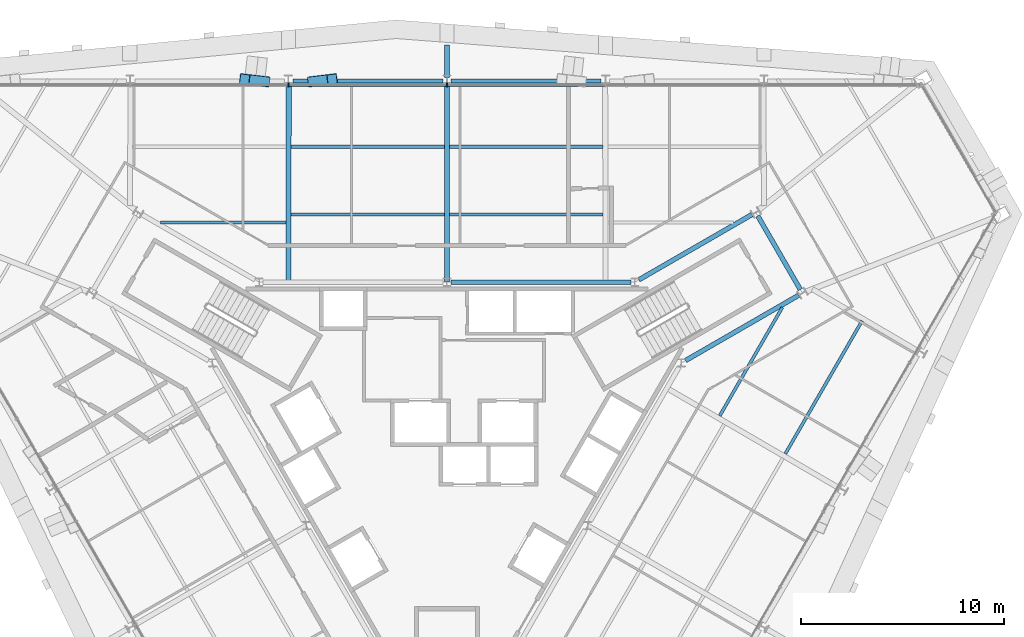
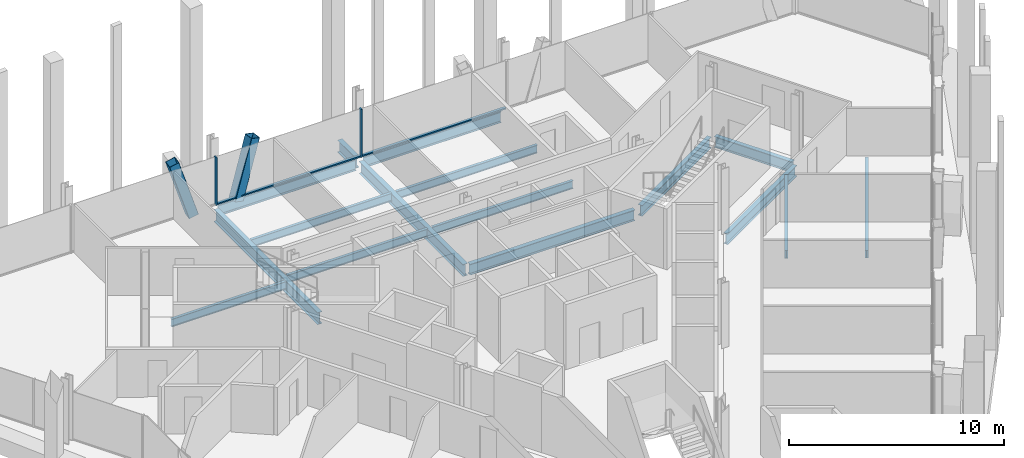
# One storey, part 9 of 17: 16 beams, 6 members, 1 element without a shape of its own.
"""IFC4 building model written with IfcOpenShell, lengths in metres."""

from ifc_helpers import new_model, si_unit, direction, frame, origin, origin_2d, place, context, subcontext, project, spatial, rectangle, hollow_rectangle, i_section, extrude, material, material_profile, profile_set, type_object, element, aggregate, save


model = new_model("IFC4")

# Units and contexts
model_context = context("Model", 3, precision=1e-05, world=origin(), true_north=direction((0.0, 1.0)))
body_context = subcontext(model_context, "Body", "Model", "MODEL_VIEW")
ifc_project = project(units=[si_unit("LENGTHUNIT", "METRE"), si_unit("AREAUNIT", "SQUARE_METRE"), si_unit("VOLUMEUNIT", "CUBIC_METRE"), si_unit("PLANEANGLEUNIT", "RADIAN"), si_unit("MASSUNIT", "GRAM", prefix="KILO")], contexts=[model_context])

# Site, building, storey
site_placement = place(None, origin())
site = spatial("IfcSite", under=ifc_project, at=site_placement, CompositionType="ELEMENT")
building_placement = place(site_placement, origin())
building = spatial("IfcBuilding", under=site, at=building_placement, Name="Verrane Prism Tower", CompositionType="ELEMENT")
storey_placement = place(building_placement, frame((0.0, 0.0, 178.39990234375)))
storey = spatial("IfcBuildingStorey", under=building, at=storey_placement, Name="L44", CompositionType="ELEMENT", Elevation=178.39990234375)

# Beams
ifc_material_1 = material(Name="Steel A992", Category="steel")
ifc_material_profile_1 = material_profile(ifc_material_1, i_section(OverallWidth=0.23046875, OverallDepth=0.6171875, WebThickness=0.01318359375, FlangeThickness=0.022216796875, FilletRadius=0.012939453125, at=origin_2d()), Name="W24x94")
ifc_profile_set_1 = profile_set([ifc_material_profile_1], Name="Steel A992")
beam_type_1 = type_object("IfcBeamType", Name="Core ring girder W24x94", PredefinedType="BEAM", material=ifc_profile_set_1)
beam_1_placement = place(storey_placement, frame((11.7607421875, 4.1357421875, -0.55859375), z_axis=(0.866075143088, 0.499913839102, 0.0), x_axis=(-0.499913839102, 0.866075143088, 0.0)))
element("IfcBeam", 1, at=beam_1_placement, inside=storey, type_object=beam_type_1, Name="Core ring girder L44", PredefinedType="BEAM", context=body_context, shape_type="SweptSolid", body=[
    extrude(i_section(OverallWidth=0.23046875, OverallDepth=0.6171875, WebThickness=0.01318359375, FlangeThickness=0.022216796875, FilletRadius=0.012939453125, at=origin_2d()), origin(), (0.0, 0.0, 1.0), 6.441650390625),
])
beam_2_placement = place(storey_placement, frame((17.418212890625, 7.635986328125, -0.55859375), z_axis=(-0.500305747711, 0.865848808284, 0.0), x_axis=(-0.865848808284, -0.500305747711, 0.0)))
element("IfcBeam", 2, at=beam_2_placement, inside=storey, type_object=beam_type_1, Name="Core ring girder L44", PredefinedType="BEAM", context=body_context, shape_type="SweptSolid", body=[
    extrude(i_section(OverallWidth=0.23046875, OverallDepth=0.6171875, WebThickness=0.01318359375, FlangeThickness=0.022216796875, FilletRadius=0.012939453125, at=origin_2d()), origin(), (0.0, 0.0, 1.0), 4.1904296875),
])
beam_3_placement = place(storey_placement, frame((15.03955078125, 11.3359375, -0.55859375), z_axis=(-0.866075143088, -0.499913839102, 0.0), x_axis=(0.499913839102, -0.866075143088, 0.0)))
element("IfcBeam", 3, at=beam_3_placement, inside=storey, type_object=beam_type_1, Name="Core ring girder L44", PredefinedType="BEAM", context=body_context, shape_type="SweptSolid", body=[
    extrude(i_section(OverallWidth=0.23046875, OverallDepth=0.6171875, WebThickness=0.01318359375, FlangeThickness=0.022216796875, FilletRadius=0.012939453125, at=origin_2d()), origin(), (0.0, 0.0, 1.0), 6.441650390625),
])
beam_4_placement = place(storey_placement, frame((9.059326171875, 8.0, -0.55859375), z_axis=(-1.0, 0.0, 0.0), x_axis=(0.0, -1.0, 0.0)))
element("IfcBeam", 4, at=beam_4_placement, inside=storey, type_object=beam_type_1, Name="Core ring girder L44", PredefinedType="BEAM", context=body_context, shape_type="SweptSolid", body=[
    extrude(i_section(OverallWidth=0.23046875, OverallDepth=0.6171875, WebThickness=0.01318359375, FlangeThickness=0.022216796875, FilletRadius=0.012939453125, at=origin_2d()), origin(), (0.0, 0.0, 1.0), 8.858642578125),
])

# Members
ifc_material_2 = material(Name="Steel A500 Grade C", Category="steel")
ifc_material_profile_2 = material_profile(ifc_material_2, hollow_rectangle(XDim=0.508056640625, YDim=0.508056640625, WallThickness=0.01904296875, InnerFilletRadius=0.009521484375, OuterFilletRadius=0.028564453125, at=origin_2d()), Name="HSS20x20x3/4")
ifc_profile_set_2 = profile_set([ifc_material_profile_2], Name="Steel A500 Grade C")
member_type_1 = type_object("IfcMemberType", Name="Facade brace HSS20x20x3/4", PredefinedType="BRACE", material=ifc_profile_set_2)
member_1_placement = place(storey_placement, frame((-6.6083984375, 17.89453125, -0.216552734375), z_axis=(0.284199622973, 0.034619217529, 0.958139908406), x_axis=(-0.120919209991, 0.992662351787, 0.0)))
element("IfcMember", 5, at=member_1_placement, inside=storey, type_object=member_type_1, Name="Facade brace N3 L44", PredefinedType="BRACE", context=body_context, shape_type="SweptSolid", body=[
    extrude(hollow_rectangle(XDim=0.508056640625, YDim=0.508056640625, WallThickness=0.01904296875, InnerFilletRadius=0.009521484375, OuterFilletRadius=0.028564453125, at=origin_2d()), origin(), (0.0, 0.0, 1.0), 3.335693359375),
])
member_2_placement = place(storey_placement, frame((-8.987548828125, 17.89453125, -0.216552734375), z_axis=(-0.294643685169, 0.034505190167, 0.95498402638), x_axis=(-0.116313331405, -0.993212569865, 0.0)))
element("IfcMember", 6, at=member_2_placement, inside=storey, type_object=member_type_1, Name="Facade brace N4 L44", PredefinedType="BRACE", context=body_context, shape_type="SweptSolid", body=[
    extrude(hollow_rectangle(XDim=0.508056640625, YDim=0.508056640625, WallThickness=0.01904296875, InnerFilletRadius=0.009521484375, OuterFilletRadius=0.028564453125, at=origin_2d()), origin(), (0.0, 0.0, 1.0), 3.3466796875),
])

# Beams
ifc_material_3 = material(Name="Steel A992", Category="steel")
ifc_material_profile_3 = material_profile(ifc_material_3, i_section(OverallWidth=0.15234375, OverallDepth=0.449462890625, WebThickness=0.007568359375, FlangeThickness=0.0107421875, FilletRadius=0.01025390625, at=origin_2d()), Name="W18x35")
ifc_profile_set_3 = profile_set([ifc_material_profile_3], Name="Steel A992")
beam_type_2 = type_object("IfcBeamType", Name="Floor beam W18x35", PredefinedType="BEAM", material=ifc_profile_set_3)
for number, where, z_axis, x_axis, name in (
    (7, (0.126953125, 11.336669921875, -0.384765625), (1.0, 0.0, 0.0), (0.0, 1.0, 0.0), "Floor beam L44"),
    (8, (0.126953125, 14.67333984375, -0.384765625), (1.0, 0.0, 0.0), (0.0, 1.0, 0.0), "Floor beam L44"),
    (9, (-7.693115234375, 11.336669921875, -0.384765625), (1.0, 0.0, 0.0), (0.0, 1.0, 0.0), "Floor beam L44"),
    (10, (-7.693115234375, 14.67333984375, -0.384765625), (1.0, 0.0, 0.0), (0.0, 1.0, 0.0), "Floor beam L44"),
):
    element("IfcBeam", number, at=place(storey_placement, frame(where, z_axis=z_axis, x_axis=x_axis)), inside=storey, type_object=beam_type_2, Name=name, PredefinedType="BEAM", context=body_context, shape_type="SweptSolid", body=[
        extrude(i_section(OverallWidth=0.15234375, OverallDepth=0.449462890625, WebThickness=0.007568359375, FlangeThickness=0.0107421875, FilletRadius=0.01025390625, at=origin_2d()), origin(), (0.0, 0.0, 1.0), 7.566162109375),
    ])
beam_5_placement = place(storey_placement, frame((-14.117919921875, 10.936767578125, -0.384765625), z_axis=(1.0, 0.0, 0.0), x_axis=(0.0, 1.0, 0.0)))
element("IfcBeam", 11, at=beam_5_placement, inside=storey, type_object=beam_type_2, Name="Floor beam L44", PredefinedType="BEAM", context=body_context, shape_type="SweptSolid", body=[
    extrude(i_section(OverallWidth=0.15234375, OverallDepth=0.449462890625, WebThickness=0.007568359375, FlangeThickness=0.0107421875, FilletRadius=0.01025390625, at=origin_2d()), origin(), (0.0, 0.0, 1.0), 6.1708984375),
])
beam_6_placement = place(storey_placement, frame((16.68310546875, -0.453125, -0.384765625), z_axis=(0.499994554566, 0.866028547684, 0.0), x_axis=(-0.866028547684, 0.499994554566, 0.0)))
element("IfcBeam", 12, at=beam_6_placement, inside=storey, type_object=beam_type_2, Name="Floor beam L44", PredefinedType="BEAM", context=body_context, shape_type="SweptSolid", body=[
    extrude(i_section(OverallWidth=0.15234375, OverallDepth=0.449462890625, WebThickness=0.007568359375, FlangeThickness=0.0107421875, FilletRadius=0.01025390625, at=origin_2d()), origin(), (0.0, 0.0, 1.0), 7.5595703125),
])
beam_7_placement = place(storey_placement, frame((13.446044921875, 1.41357421875, -0.384765625), z_axis=(0.500025052272, 0.866010939365, 0.0), x_axis=(-0.866010939365, 0.500025052272, 0.0)))
element("IfcBeam", 13, at=beam_7_placement, inside=storey, type_object=beam_type_2, Name="Floor beam L44", PredefinedType="BEAM", context=body_context, shape_type="SweptSolid", body=[
    extrude(i_section(OverallWidth=0.15234375, OverallDepth=0.449462890625, WebThickness=0.007568359375, FlangeThickness=0.0107421875, FilletRadius=0.01025390625, at=origin_2d()), origin(), (0.0, 0.0, 1.0), 6.169189453125),
])

# Curtain wall, members
ifc_material_4 = material(Name="Aluminium framed insulated glazing", Category="aluminium")
curtain_wall_type = type_object("IfcCurtainWallType", Name="Curtain wall CW-A 8400 module", PredefinedType="NOTDEFINED", material=ifc_material_4)
curtain_wall_placement = place(storey_placement, origin())
curtain_wall = element("IfcCurtainWall", 14, at=curtain_wall_placement, inside=storey, type_object=curtain_wall_type, Name="Glazed curtain wall north face L44", PredefinedType="NOTDEFINED")
ifc_material_5 = material(Name="Aluminium alloy 6063-T6", Category="aluminium")
ifc_material_profile_4 = material_profile(ifc_material_5, rectangle(XDim=0.199951171875, YDim=0.070068359375, at=origin_2d()), Name="Mullion 70x200 aluminium")
ifc_profile_set_4 = profile_set([ifc_material_profile_4], Name="Aluminium alloy 6063-T6")
member_type_2 = type_object("IfcMemberType", Name="Mullion 70x200 aluminium", PredefinedType="MULLION", material=ifc_profile_set_4)
member_3_placement = place(storey_placement, frame((0.0, 17.73095703125, 0.0), z_axis=(0.0, 0.0, 1.0), x_axis=(0.0, -1.0, 0.0)))
member_3 = element("IfcMember", 15, at=member_3_placement, type_object=member_type_2, Name="CW44.2 mullion 4", PredefinedType="MULLION", context=body_context, shape_type="SweptSolid", body=[
    extrude(rectangle(XDim=0.199951171875, YDim=0.070068359375, at=origin_2d()), origin(), (0.0, 0.0, 1.0), 2.712890625),
])
member_4_placement = place(storey_placement, frame((-7.802734375, 17.73095703125, 0.0), z_axis=(0.0, 0.0, 1.0), x_axis=(0.0, -1.0, 0.0)))
member_4 = element("IfcMember", 16, at=member_4_placement, type_object=member_type_2, Name="CW44.2 mullion 5", PredefinedType="MULLION", context=body_context, shape_type="SweptSolid", body=[
    extrude(rectangle(XDim=0.199951171875, YDim=0.070068359375, at=origin_2d()), origin(), (0.0, 0.0, 1.0), 2.712890625),
])

# Beams
ifc_material_6 = material(Name="Steel A992", Category="steel")
ifc_material_profile_5 = material_profile(ifc_material_6, i_section(OverallWidth=0.25390625, OverallDepth=0.683349609375, WebThickness=0.012451171875, FlangeThickness=0.01904296875, FilletRadius=0.01513671875, at=origin_2d()), Name="W27x94")
ifc_profile_set_5 = profile_set([ifc_material_profile_5], Name="Steel A992")
beam_type_3 = type_object("IfcBeamType", Name="Radial girder W27x94", PredefinedType="BEAM", material=ifc_profile_set_5)
for number, where, z_axis, x_axis, name in (
    (17, (0.0, 17.686279296875, -0.5615234375), (0.0, -1.0, 0.0), (1.0, 0.0, 0.0), "Radial girder L44"),
    (18, (-7.79736328125, 17.686279296875, -0.5615234375), (-0.002344038929, -0.999997252737, 0.0), (0.999997252737, -0.002344038929, 0.0), "Radial girder L44"),
):
    element("IfcBeam", number, at=place(storey_placement, frame(where, z_axis=z_axis, x_axis=x_axis)), inside=storey, type_object=beam_type_3, Name=name, PredefinedType="BEAM", context=body_context, shape_type="SweptSolid", body=[
        extrude(i_section(OverallWidth=0.25390625, OverallDepth=0.683349609375, WebThickness=0.012451171875, FlangeThickness=0.01904296875, FilletRadius=0.01513671875, at=origin_2d()), origin(), (0.0, 0.0, 1.0), 9.686279296875),
    ])
beam_8_placement = place(storey_placement, frame((0.0, 18.098876953125, -0.5615234375), z_axis=(0.0, 1.0, 0.0), x_axis=(-1.0, 0.0, 0.0)))
element("IfcBeam", 19, at=beam_8_placement, inside=storey, type_object=beam_type_3, Name="Cantilever girder L44", PredefinedType="BEAM", context=body_context, shape_type="SweptSolid", body=[
    extrude(i_section(OverallWidth=0.25390625, OverallDepth=0.683349609375, WebThickness=0.012451171875, FlangeThickness=0.01904296875, FilletRadius=0.01513671875, at=origin_2d()), origin(), (0.0, 0.0, 1.0), 1.5830078125),
])
ifc_material_7 = material(Name="Steel A992", Category="steel")
ifc_material_profile_6 = material_profile(ifc_material_7, i_section(OverallWidth=0.23046875, OverallDepth=0.6171875, WebThickness=0.01318359375, FlangeThickness=0.022216796875, FilletRadius=0.012939453125, at=origin_2d()), Name="W24x94")
ifc_profile_set_6 = profile_set([ifc_material_profile_6], Name="Steel A992")
beam_type_4 = type_object("IfcBeamType", Name="Spandrel beam W24x94", PredefinedType="SPANDREL", material=ifc_profile_set_6)
for number, where, z_axis, x_axis, name in (
    (20, (7.59375, 17.89453125, -0.468505859375), (-1.0, 0.0, 0.0), (0.0, -1.0, 0.0), "Spandrel beam L44"),
    (21, (-0.203125, 17.89453125, -0.468505859375), (-1.0, 0.0, 0.0), (0.0, -1.0, 0.0), "Spandrel beam L44"),
):
    element("IfcBeam", number, at=place(storey_placement, frame(where, z_axis=z_axis, x_axis=x_axis)), inside=storey, type_object=beam_type_4, Name=name, PredefinedType="SPANDREL", context=body_context, shape_type="SweptSolid", body=[
        extrude(i_section(OverallWidth=0.23046875, OverallDepth=0.6171875, WebThickness=0.01318359375, FlangeThickness=0.022216796875, FilletRadius=0.012939453125, at=origin_2d()), origin(), (0.0, 0.0, 1.0), 7.390625),
    ])

# Member
ifc_material_8 = material(Name="Aluminium alloy 6063-T6", Category="aluminium")
ifc_material_profile_7 = material_profile(ifc_material_8, rectangle(XDim=0.14990234375, YDim=0.070068359375, at=origin_2d()), Name="Transom 70x150 aluminium")
ifc_profile_set_7 = profile_set([ifc_material_profile_7], Name="Aluminium alloy 6063-T6")
member_type_3 = type_object("IfcMemberType", Name="Transom 70x150 aluminium", PredefinedType="USERDEFINED", material=ifc_profile_set_7)
member_5_placement = place(storey_placement, frame((7.767822265625, 17.73095703125, 0.03515625), z_axis=(-1.0, 0.0, 0.0), x_axis=(0.0, -1.0, 0.0)))
member_5 = element("IfcMember", 22, at=member_5_placement, type_object=member_type_3, Name="CW44.2 transom 3", ObjectType="TRANSOM", PredefinedType="USERDEFINED", context=body_context, shape_type="SweptSolid", body=[
    extrude(rectangle(XDim=0.14990234375, YDim=0.070068359375, at=origin_2d()), origin(), (0.0, 0.0, 1.0), 7.73291015625),
])

member_6_placement = place(storey_placement, frame((-0.034912109375, 17.73095703125, 0.03515625), z_axis=(-1.0, 0.0, 0.0), x_axis=(0.0, -1.0, 0.0)))
member_6 = element("IfcMember", 23, at=member_6_placement, type_object=member_type_3, Name="CW44.2 transom 4", ObjectType="TRANSOM", PredefinedType="USERDEFINED", context=body_context, shape_type="SweptSolid", body=[
    extrude(rectangle(XDim=0.14990234375, YDim=0.070068359375, at=origin_2d()), origin(), (0.0, 0.0, 1.0), 7.73291015625),
])

aggregate(curtain_wall, [member_3, member_4, member_5, member_6])

save(model, "model.ifc")
